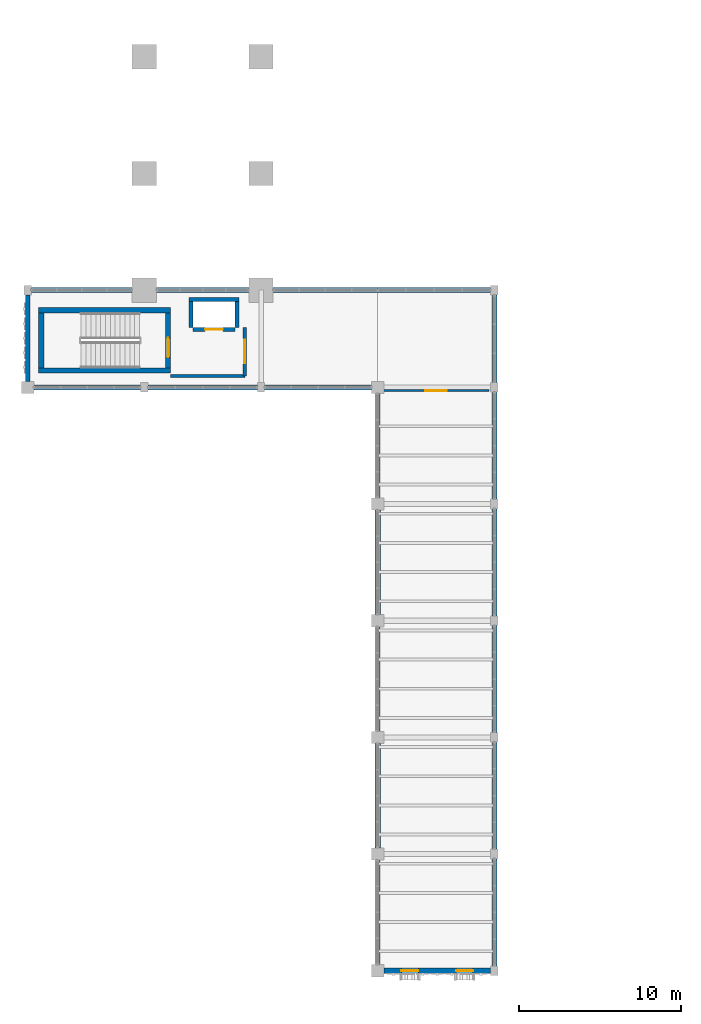
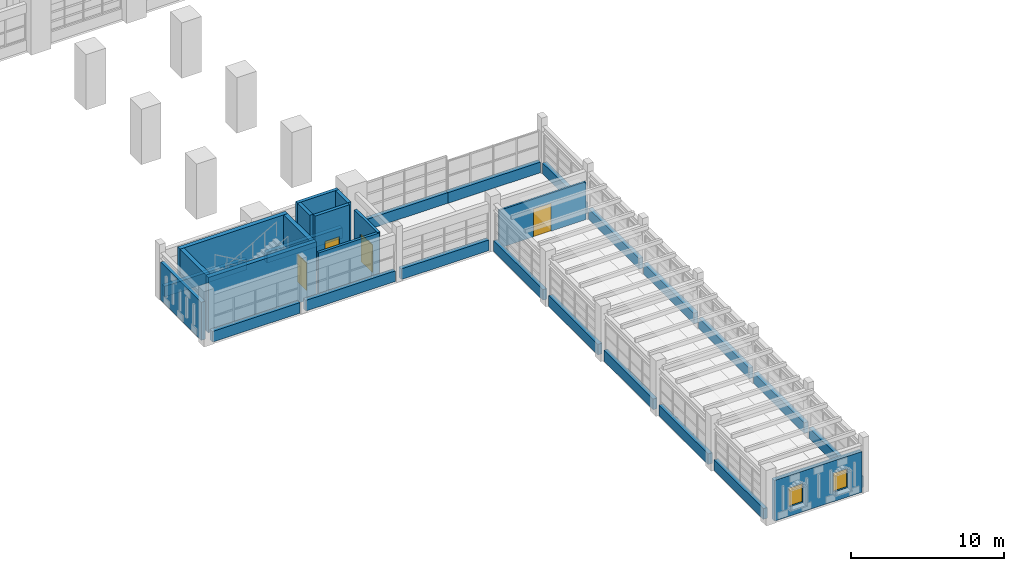
# One storey, part 42 of 69: 31 walls, 4 doors, 2 windows, 6 openings.
"""IFC4 building model written with IfcOpenShell, lengths in metres."""

from ifc_helpers import new_model, si_unit, direction, frame, frame_2d, origin, place, context, subcontext, project, spatial, rectangle, extrude, material, layer, layer_set, type_object, element, fill, save


model = new_model("IFC4")

# Units and contexts
model_context = context("Model", 3, precision=1e-05, world=origin(), true_north=direction((0.0, 1.0)))
body_context = subcontext(model_context, "Body", "Model", "MODEL_VIEW")
ifc_project = project(units=[si_unit("LENGTHUNIT", "METRE"), si_unit("AREAUNIT", "SQUARE_METRE"), si_unit("VOLUMEUNIT", "CUBIC_METRE"), si_unit("PLANEANGLEUNIT", "RADIAN"), si_unit("MASSUNIT", "GRAM", prefix="KILO")], contexts=[model_context])

# Site, building, storey
site_placement = place(None, origin())
site = spatial("IfcSite", under=ifc_project, at=site_placement, CompositionType="ELEMENT")
building_placement = place(site_placement, origin())
building = spatial("IfcBuilding", under=site, at=building_placement, Name="Nzembalo Square Collegiate School", CompositionType="ELEMENT")
storey_placement = place(building_placement, frame((0.0, 0.0, 5.10009765625)))
storey = spatial("IfcBuildingStorey", under=building, at=storey_placement, Name="L01", CompositionType="ELEMENT", Elevation=5.10009765625)

# Walls
ifc_material_1 = material(Name="Concrete C40/50", Category="concrete")
ifc_layer_1 = layer(ifc_material_1, 0.320068359375, Name="Concrete C40/50")
ifc_layer_set_1 = layer_set([ifc_layer_1], Name="Concrete C40/50")
wall_type_1 = type_object("IfcWallType", Name="SW01", PredefinedType="SHEAR", material=ifc_layer_set_1)
wall_1_placement = place(storey_placement, frame((9.239990234375, 45.60009765625, 0.0), z_axis=(0.0, 0.0, 1.0), x_axis=(0.0, 1.0, 0.0)))
element("IfcWall", 1, at=wall_1_placement, inside=storey, type_object=wall_type_1, Name="Core C1 stair shear wall W L01", PredefinedType="SHEAR", context=body_context, shape_type="SweptSolid", body=[
    extrude(rectangle(XDim=3.39990234375, YDim=0.320068359375, at=frame_2d((1.699951171875, 0.0))), origin(), (0.0, 0.0, 1.0), 4.419921875),
])
for number, where, z_axis, x_axis, name in (
    (2, (9.080078125, 45.43994140625, 0.0), (0.0, 0.0, 1.0), (1.0, 0.0, 0.0), "Core C1 stair shear wall S L01"),
    (3, (9.080078125, 49.159912109375, 0.0), (0.0, 0.0, 1.0), (1.0, 0.0, 0.0), "Core C1 stair shear wall N L01"),
):
    element("IfcWall", number, at=place(storey_placement, frame(where, z_axis=z_axis, x_axis=x_axis)), inside=storey, type_object=wall_type_1, Name=name, PredefinedType="SHEAR", context=body_context, shape_type="SweptSolid", body=[
        extrude(rectangle(XDim=8.139892578125, YDim=0.320068359375, at=frame_2d((4.06982421875, 0.0))), origin(), (0.0, 0.0, 1.0), 4.419921875),
    ])

# Wall, opening, door
wall_2_placement = place(storey_placement, frame((17.06005859375, 45.60009765625, 0.0), z_axis=(0.0, 0.0, 1.0), x_axis=(0.0, 1.0, 0.0)))
wall_2 = element("IfcWall", 4, at=wall_2_placement, inside=storey, type_object=wall_type_1, Name="Core C1 stair shear wall E L01", PredefinedType="SHEAR", context=body_context, shape_type="SweptSolid", body=[
    extrude(rectangle(XDim=3.39990234375, YDim=0.320068359375, at=frame_2d((1.699951171875, 0.0))), origin(), (0.0, 0.0, 1.0), 4.419921875),
])
opening_1_placement = place(wall_2_placement, frame((0.64990234375, 0.0, 0.0)))
opening_1 = element("IfcOpeningElement", 5, at=opening_1_placement, cuts=wall_2, Name="Opening FD-005", PredefinedType="OPENING", context=body_context, shape_type="SweptSolid", body=[
    extrude(rectangle(XDim=1.199951171875, YDim=2.199951171875, at=frame_2d((0.60009765625, 1.10009765625))), frame((0.0, 0.169921875, 0.0), z_axis=(0.0, -1.0, 0.0), x_axis=(1.0, 0.0, 0.0)), (0.0, 0.0, 1.0), 0.340087890625),
])
ifc_material_2 = material(Name="Fire-rated steel acoustic door", Category="steel")
door_type_1 = type_object("IfcDoorType", Name="FD01", OperationType="NOTDEFINED", PredefinedType="DOOR", material=ifc_material_2)
door_1_placement = place(opening_1_placement, origin())
door_1 = element("IfcDoor", 6, at=door_1_placement, inside=storey, type_object=door_type_1, Name="Stair fire door FD-005", OperationType="SINGLE_SWING_LEFT", OverallHeight=2.199951171875, OverallWidth=1.199951171875, PredefinedType="DOOR", context=body_context, shape_type="SweptSolid", body=[
    extrude(rectangle(XDim=1.199951171875, YDim=2.199951171875, at=frame_2d((0.60009765625, 1.10009765625))), frame((0.0, 0.02490234375, 0.0), z_axis=(0.0, -1.0, 0.0), x_axis=(1.0, 0.0, 0.0)), (0.0, 0.0, 1.0), 0.050048828125),
])
fill(opening_1, door_1)

# Walls
ifc_material_3 = material(Name="Concrete C35/45", Category="concrete")
ifc_layer_2 = layer(ifc_material_3, 0.25, Name="Concrete C35/45")
ifc_layer_set_2 = layer_set([ifc_layer_2], Name="Concrete C35/45")
wall_type_2 = type_object("IfcWallType", Name="SW05", PredefinedType="SHEAR", material=ifc_layer_set_2)
for number, where, z_axis, x_axis, name in (
    (7, (18.47509765625, 48.10009765625, 0.0), (0.0, 0.0, 1.0), (0.0, 1.0, 0.0), "Lift LF1 shaft wall W L01"),
    (8, (21.324951171875, 48.10009765625, 0.0), (0.0, 0.0, 1.0), (0.0, 1.0, 0.0), "Lift LF1 shaft wall E L01"),
):
    element("IfcWall", number, at=place(storey_placement, frame(where, z_axis=z_axis, x_axis=x_axis)), inside=storey, type_object=wall_type_2, Name=name, PredefinedType="SHEAR", context=body_context, shape_type="SweptSolid", body=[
        extrude(rectangle(XDim=1.599853515625, YDim=0.25, at=frame_2d((0.7998046875, 0.0))), origin(), (0.0, 0.0, 1.0), 4.419921875),
    ])
wall_3_placement = place(storey_placement, frame((18.35009765625, 49.824951171875, 0.0), z_axis=(0.0, 0.0, 1.0), x_axis=(1.0, 0.0, 0.0)))
element("IfcWall", 9, at=wall_3_placement, inside=storey, type_object=wall_type_2, Name="Lift LF1 shaft wall N L01", PredefinedType="SHEAR", context=body_context, shape_type="SweptSolid", body=[
    extrude(rectangle(XDim=3.099853515625, YDim=0.25, at=frame_2d((1.5498046875, 0.0))), origin(), (0.0, 0.0, 1.0), 4.419921875),
])

# Wall, opening, door
wall_4_placement = place(storey_placement, frame((18.60009765625, 47.97509765625, 0.0), z_axis=(0.0, 0.0, 1.0), x_axis=(1.0, 0.0, 0.0)))
wall_4 = element("IfcWall", 10, at=wall_4_placement, inside=storey, type_object=wall_type_2, Name="Lift LF1 landing front wall L01", PredefinedType="SHEAR", context=body_context, shape_type="SweptSolid", body=[
    extrude(rectangle(XDim=2.599853515625, YDim=0.25, at=frame_2d((1.2998046875, 0.0))), origin(), (0.0, 0.0, 1.0), 4.419921875),
])
opening_2_placement = place(wall_4_placement, frame((0.75, 0.0, 0.0)))
opening_2 = element("IfcOpeningElement", 11, at=opening_2_placement, cuts=wall_4, Name="Opening LD-LF1-L01", PredefinedType="OPENING", context=body_context, shape_type="SweptSolid", body=[
    extrude(rectangle(XDim=1.10009765625, YDim=2.14990234375, at=frame_2d((0.550048828125, 1.074951171875))), frame((0.0, 0.135009765625, 0.0), z_axis=(0.0, -1.0, 0.0), x_axis=(1.0, 0.0, 0.0)), (0.0, 0.0, 1.0), 0.27001953125),
])
ifc_material_4 = material(Name="Stainless-steel sliding landing door", Category="steel")
door_type_2 = type_object("IfcDoorType", Name="LD01", OperationType="DOUBLE_DOOR_SLIDING", PredefinedType="DOOR", material=ifc_material_4)
door_2_placement = place(opening_2_placement, origin())
door_2 = element("IfcDoor", 12, at=door_2_placement, inside=storey, type_object=door_type_2, Name="Sliding lift landing door LD-LF1-L01", OperationType="DOUBLE_DOOR_SLIDING", OverallHeight=2.14990234375, OverallWidth=1.10009765625, PredefinedType="DOOR", context=body_context, shape_type="SweptSolid", body=[
    extrude(rectangle(XDim=1.10009765625, YDim=2.14990234375, at=frame_2d((0.550048828125, 1.074951171875))), frame((0.0, 0.02490234375, 0.0), z_axis=(0.0, -1.0, 0.0), x_axis=(1.0, 0.0, 0.0)), (0.0, 0.0, 1.0), 0.050048828125),
])
fill(opening_2, door_2)

# Walls
ifc_material_5 = material(Name="Concrete C35/45", Category="concrete")
ifc_layer_3 = layer(ifc_material_5, 0.320068359375, Name="Concrete C35/45")
ifc_layer_set_3 = layer_set([ifc_layer_3], Name="Concrete C35/45")
wall_type_3 = type_object("IfcWallType", Name="W03", PredefinedType="SOLIDWALL", material=ifc_layer_set_3)
wall_5_placement = place(storey_placement, frame((16.35205078125, 50.39990234375, 0.0), z_axis=(0.0, 0.0, 1.0), x_axis=(1.0, 0.0, 0.0)))
element("IfcWall", 13, at=wall_5_placement, inside=storey, type_object=wall_type_3, Name="Spandrel wall W03 L01", PredefinedType="SOLIDWALL", context=body_context, shape_type="SweptSolid", body=[
    extrude(rectangle(XDim=5.696044921875, YDim=0.320068359375, at=frame_2d((2.84814453125, 0.0))), origin(), (0.0, 0.0, 1.0), 0.849853515625),
])
wall_6_placement = place(storey_placement, frame((30.0, 50.39990234375, 0.0), z_axis=(0.0, 0.0, 1.0), x_axis=(1.0, 0.0, 0.0)))
element("IfcWall", 14, at=wall_6_placement, inside=storey, type_object=wall_type_3, Name="Spandrel wall W03 L01", PredefinedType="SOLIDWALL", context=body_context, shape_type="SweptSolid", body=[
    extrude(rectangle(XDim=6.972900390625, YDim=0.320068359375, at=frame_2d((3.486328125, 0.0))), origin(), (0.0, 0.0, 1.0), 0.849853515625),
])
for number, where, z_axis, x_axis, name in (
    (15, (37.199951171875, 15.902099609375, 0.0), (0.0, 0.0, 1.0), (0.0, 1.0, 0.0), "Spandrel wall W03 L01"),
    (16, (37.199951171875, 30.302001953125, 0.0), (0.0, 0.0, 1.0), (0.0, 1.0, 0.0), "Spandrel wall W03 L01"),
):
    element("IfcWall", number, at=place(storey_placement, frame(where, z_axis=z_axis, x_axis=x_axis)), inside=storey, type_object=wall_type_3, Name=name, PredefinedType="SOLIDWALL", context=body_context, shape_type="SweptSolid", body=[
        extrude(rectangle(XDim=6.595947265625, YDim=0.320068359375, at=frame_2d((3.2978515625, 0.0))), origin(), (0.0, 0.0, 1.0), 0.849853515625),
    ])
wall_7_placement = place(storey_placement, frame((37.199951171875, 44.701904296875, 0.0), z_axis=(0.0, 0.0, 1.0), x_axis=(0.0, 1.0, 0.0)))
element("IfcWall", 17, at=wall_7_placement, inside=storey, type_object=wall_type_3, Name="Spandrel wall W03 L01", PredefinedType="SOLIDWALL", context=body_context, shape_type="SweptSolid", body=[
    extrude(rectangle(XDim=5.39599609375, YDim=0.320068359375, at=frame_2d((2.697998046875, 0.0))), origin(), (0.0, 0.0, 1.0), 0.849853515625),
])

# Wall, openings, windows
wall_8_placement = place(storey_placement, frame((30.376953125, 8.39990234375, 0.0), z_axis=(0.0, 0.0, 1.0), x_axis=(1.0, 0.0, 0.0)))
wall_8 = element("IfcWall", 18, at=wall_8_placement, inside=storey, type_object=wall_type_3, Name="Exterior wall W03 L01", PredefinedType="SOLIDWALL", context=body_context, shape_type="SweptSolid", body=[
    extrude(rectangle(XDim=6.595947265625, YDim=0.320068359375, at=frame_2d((3.2978515625, 0.0))), origin(), (0.0, 0.0, 1.0), 3.243896484375),
])
opening_3_placement = place(wall_8_placement, frame((1.08154296875, 0.0, 0.75)))
opening_3 = element("IfcOpeningElement", 19, at=opening_3_placement, cuts=wall_8, Name="Opening WN-L01-162", PredefinedType="OPENING", context=body_context, shape_type="SweptSolid", body=[
    extrude(rectangle(XDim=1.050048828125, YDim=1.5, at=frame_2d((0.52490234375, 0.75))), frame((0.0, 0.169921875, 0.0), z_axis=(0.0, -1.0, 0.0), x_axis=(1.0, 0.0, 0.0)), (0.0, 0.0, 1.0), 0.340087890625),
])
opening_4_placement = place(wall_8_placement, frame((4.464599609375, 0.0, 0.75)))
opening_4 = element("IfcOpeningElement", 20, at=opening_4_placement, cuts=wall_8, Name="Opening WN-L01-163", PredefinedType="OPENING", context=body_context, shape_type="SweptSolid", body=[
    extrude(rectangle(XDim=1.050048828125, YDim=1.5, at=frame_2d((0.52490234375, 0.75))), frame((0.0, 0.169921875, 0.0), z_axis=(0.0, -1.0, 0.0), x_axis=(1.0, 0.0, 0.0)), (0.0, 0.0, 1.0), 0.340087890625),
])
ifc_material_6 = material(Name="Powder-coated aluminium and low-E double glazing", Category="aluminium")
window_type = type_object("IfcWindowType", Name="WN15", PartitioningType="SINGLE_PANEL", PredefinedType="WINDOW", material=ifc_material_6)
window_1_placement = place(opening_3_placement, origin())
window_1 = element("IfcWindow", 21, at=window_1_placement, inside=storey, type_object=window_type, Name="Lancet window WN-L01-162", OverallHeight=1.5, OverallWidth=1.050048828125, PartitioningType="SINGLE_PANEL", PredefinedType="WINDOW", context=body_context, shape_type="SweptSolid", body=[
    extrude(rectangle(XDim=1.050048828125, YDim=1.5, at=frame_2d((0.52490234375, 0.75))), frame((0.0, 0.030029296875, 0.0), z_axis=(0.0, -1.0, 0.0), x_axis=(1.0, 0.0, 0.0)), (0.0, 0.0, 1.0), 0.06005859375),
])
fill(opening_3, window_1)
window_2_placement = place(opening_4_placement, origin())
window_2 = element("IfcWindow", 22, at=window_2_placement, inside=storey, type_object=window_type, Name="Lancet window WN-L01-163", OverallHeight=1.5, OverallWidth=1.050048828125, PartitioningType="SINGLE_PANEL", PredefinedType="WINDOW", context=body_context, shape_type="SweptSolid", body=[
    extrude(rectangle(XDim=1.050048828125, YDim=1.5, at=frame_2d((0.52490234375, 0.75))), frame((0.0, 0.030029296875, 0.0), z_axis=(0.0, -1.0, 0.0), x_axis=(1.0, 0.0, 0.0)), (0.0, 0.0, 1.0), 0.06005859375),
])
fill(opening_4, window_2)

# Walls
for number, where, z_axis, x_axis, name in (
    (23, (30.0, 15.97705078125, 0.0), (0.0, 0.0, 1.0), (0.0, 1.0, 0.0), "Spandrel wall W03 L01"),
    (24, (30.0, 30.376953125, 0.0), (0.0, 0.0, 1.0), (0.0, 1.0, 0.0), "Spandrel wall W03 L01"),
):
    element("IfcWall", number, at=place(storey_placement, frame(where, z_axis=z_axis, x_axis=x_axis)), inside=storey, type_object=wall_type_3, Name=name, PredefinedType="SOLIDWALL", context=body_context, shape_type="SweptSolid", body=[
        extrude(rectangle(XDim=6.446044921875, YDim=0.320068359375, at=frame_2d((3.22314453125, 0.0))), origin(), (0.0, 0.0, 1.0), 0.849853515625),
    ])
for number, where, z_axis, x_axis, name in (
    (25, (8.777099609375, 44.39990234375, 0.0), (0.0, 0.0, 1.0), (1.0, 0.0, 0.0), "Spandrel wall W03 L01"),
    (26, (23.027099609375, 44.39990234375, 0.0), (0.0, 0.0, 1.0), (1.0, 0.0, 0.0), "Spandrel wall W03 L01"),
):
    element("IfcWall", number, at=place(storey_placement, frame(where, z_axis=z_axis, x_axis=x_axis)), inside=storey, type_object=wall_type_3, Name=name, PredefinedType="SOLIDWALL", context=body_context, shape_type="SweptSolid", body=[
        extrude(rectangle(XDim=6.595947265625, YDim=0.320068359375, at=frame_2d((3.2978515625, 0.0))), origin(), (0.0, 0.0, 1.0), 0.849853515625),
    ])
ifc_material_7 = material(Name="Concrete C35/45", Category="concrete")
ifc_layer_4 = layer(ifc_material_7, 0.300048828125, Name="Concrete C35/45")
ifc_layer_set_4 = layer_set([ifc_layer_4], Name="Concrete C35/45")
wall_type_4 = type_object("IfcWallType", Name="W04", PredefinedType="SOLIDWALL", material=ifc_layer_set_4)
wall_9_placement = place(storey_placement, frame((8.39990234375, 44.777099609375, 0.0), z_axis=(0.0, 0.0, 1.0), x_axis=(0.0, 1.0, 0.0)))
element("IfcWall", 27, at=wall_9_placement, inside=storey, type_object=wall_type_4, Name="Exterior wall W04 L01", PredefinedType="SOLIDWALL", context=body_context, shape_type="SweptSolid", body=[
    extrude(rectangle(XDim=5.32080078125, YDim=0.300048828125, at=frame_2d((2.660400390625, 0.0))), origin(), (0.0, 0.0, 1.0), 3.02392578125),
])
wall_10_placement = place(storey_placement, frame((8.626953125, 50.39990234375, 0.0), z_axis=(0.0, 0.0, 1.0), x_axis=(1.0, 0.0, 0.0)))
element("IfcWall", 28, at=wall_10_placement, inside=storey, type_object=wall_type_4, Name="Spandrel wall W04 L01", PredefinedType="SOLIDWALL", context=body_context, shape_type="SweptSolid", body=[
    extrude(rectangle(XDim=6.220947265625, YDim=0.300048828125, at=frame_2d((3.1103515625, 0.0))), origin(), (0.0, 0.0, 1.0), 0.849853515625),
])
wall_11_placement = place(storey_placement, frame((23.552001953125, 50.39990234375, 0.0), z_axis=(0.0, 0.0, 1.0), x_axis=(1.0, 0.0, 0.0)))
element("IfcWall", 29, at=wall_11_placement, inside=storey, type_object=wall_type_4, Name="Spandrel wall W04 L01", PredefinedType="SOLIDWALL", context=body_context, shape_type="SweptSolid", body=[
    extrude(rectangle(XDim=6.447998046875, YDim=0.300048828125, at=frame_2d((3.22412109375, 0.0))), origin(), (0.0, 0.0, 1.0), 0.849853515625),
])
wall_12_placement = place(storey_placement, frame((37.199951171875, 8.701904296875, 0.0), z_axis=(0.0, 0.0, 1.0), x_axis=(0.0, 1.0, 0.0)))
element("IfcWall", 30, at=wall_12_placement, inside=storey, type_object=wall_type_4, Name="Spandrel wall W04 L01", PredefinedType="SOLIDWALL", context=body_context, shape_type="SweptSolid", body=[
    extrude(rectangle(XDim=6.59619140625, YDim=0.300048828125, at=frame_2d((3.298095703125, 0.0))), origin(), (0.0, 0.0, 1.0), 0.849853515625),
])
for number, where, z_axis, x_axis, name in (
    (31, (37.199951171875, 23.10205078125, 0.0), (0.0, 0.0, 1.0), (0.0, 1.0, 0.0), "Spandrel wall W04 L01"),
    (32, (37.199951171875, 37.501953125, 0.0), (0.0, 0.0, 1.0), (0.0, 1.0, 0.0), "Spandrel wall W04 L01"),
):
    element("IfcWall", number, at=place(storey_placement, frame(where, z_axis=z_axis, x_axis=x_axis)), inside=storey, type_object=wall_type_4, Name=name, PredefinedType="SOLIDWALL", context=body_context, shape_type="SweptSolid", body=[
        extrude(rectangle(XDim=6.595947265625, YDim=0.300048828125, at=frame_2d((3.2978515625, 0.0))), origin(), (0.0, 0.0, 1.0), 0.849853515625),
    ])
wall_13_placement = place(storey_placement, frame((30.0, 8.777099609375, 0.0), z_axis=(0.0, 0.0, 1.0), x_axis=(0.0, 1.0, 0.0)))
element("IfcWall", 33, at=wall_13_placement, inside=storey, type_object=wall_type_4, Name="Spandrel wall W04 L01", PredefinedType="SOLIDWALL", context=body_context, shape_type="SweptSolid", body=[
    extrude(rectangle(XDim=6.44580078125, YDim=0.300048828125, at=frame_2d((3.222900390625, 0.0))), origin(), (0.0, 0.0, 1.0), 0.849853515625),
])
for number, where, z_axis, x_axis, name in (
    (34, (30.0, 23.177001953125, 0.0), (0.0, 0.0, 1.0), (0.0, 1.0, 0.0), "Spandrel wall W04 L01"),
    (35, (30.0, 37.576904296875, 0.0), (0.0, 0.0, 1.0), (0.0, 1.0, 0.0), "Spandrel wall W04 L01"),
):
    element("IfcWall", number, at=place(storey_placement, frame(where, z_axis=z_axis, x_axis=x_axis)), inside=storey, type_object=wall_type_4, Name=name, PredefinedType="SOLIDWALL", context=body_context, shape_type="SweptSolid", body=[
        extrude(rectangle(XDim=6.446044921875, YDim=0.300048828125, at=frame_2d((3.22314453125, 0.0))), origin(), (0.0, 0.0, 1.0), 0.849853515625),
    ])
wall_14_placement = place(storey_placement, frame((15.826904296875, 44.39990234375, 0.0), z_axis=(0.0, 0.0, 1.0), x_axis=(1.0, 0.0, 0.0)))
element("IfcWall", 36, at=wall_14_placement, inside=storey, type_object=wall_type_4, Name="Spandrel wall W04 L01", PredefinedType="SOLIDWALL", context=body_context, shape_type="SweptSolid", body=[
    extrude(rectangle(XDim=6.74609375, YDim=0.300048828125, at=frame_2d((3.373046875, 0.0))), origin(), (0.0, 0.0, 1.0), 0.849853515625),
])

# Wall, opening, door
ifc_material_8 = material(Name="Concrete blockwork C25/30", Category="masonry")
ifc_layer_5 = layer(ifc_material_8, 0.199951171875, Name="Concrete blockwork C25/30")
ifc_layer_set_5 = layer_set([ifc_layer_5], Name="Concrete blockwork C25/30")
wall_type_5 = type_object("IfcWallType", Name="W11", PredefinedType="PARTITIONING", material=ifc_layer_set_5)
wall_15_placement = place(storey_placement, frame((21.800048828125, 45.10009765625, 0.0), z_axis=(0.0, 0.0, 1.0), x_axis=(0.0, 1.0, 0.0)))
wall_15 = element("IfcWall", 37, at=wall_15_placement, inside=storey, type_object=wall_type_5, Name="Core C1 EI 60 lobby wall E L01", PredefinedType="PARTITIONING", context=body_context, shape_type="SweptSolid", body=[
    extrude(rectangle(XDim=3.0, YDim=0.199951171875, at=frame_2d((1.5, 0.0))), origin(), (0.0, 0.0, 1.0), 3.69384765625),
])
opening_5_placement = place(wall_15_placement, frame((0.77490234375, 0.0, 0.0)))
opening_5 = element("IfcOpeningElement", 38, at=opening_5_placement, cuts=wall_15, Name="Opening FD-006", PredefinedType="OPENING", context=body_context, shape_type="SweptSolid", body=[
    extrude(rectangle(XDim=1.449951171875, YDim=2.199951171875, at=frame_2d((0.72509765625, 1.10009765625))), frame((0.0, 0.10986328125, 0.0), z_axis=(0.0, -1.0, 0.0), x_axis=(1.0, 0.0, 0.0)), (0.0, 0.0, 1.0), 0.219970703125),
])
ifc_material_9 = material(Name="Fire-rated double lobby door")
door_type_3 = type_object("IfcDoorType", Name="FD02", OperationType="DOUBLE_DOOR_SINGLE_SWING", PredefinedType="DOOR", material=ifc_material_9)
door_3_placement = place(opening_5_placement, frame((1.449951171875, 0.0, 0.0), z_axis=(0.0, 0.0, 1.0), x_axis=(-1.0, 0.0, 0.0)))
door_3 = element("IfcDoor", 39, at=door_3_placement, inside=storey, type_object=door_type_3, Name="Protected lobby fire door FD-006", OperationType="DOUBLE_DOOR_SINGLE_SWING", OverallHeight=2.199951171875, OverallWidth=1.449951171875, PredefinedType="DOOR", context=body_context, shape_type="SweptSolid", body=[
    extrude(rectangle(XDim=1.449951171875, YDim=2.199951171875, at=frame_2d((0.72509765625, 1.10009765625))), frame((0.0, 0.02490234375, 0.0), z_axis=(0.0, -1.0, 0.0), x_axis=(1.0, 0.0, 0.0)), (0.0, 0.0, 1.0), 0.050048828125),
])
fill(opening_5, door_3)

# Wall
wall_16_placement = place(storey_placement, frame((17.219970703125, 45.10009765625, 0.0), z_axis=(0.0, 0.0, 1.0), x_axis=(1.0, 0.0, 0.0)))
element("IfcWall", 40, at=wall_16_placement, inside=storey, type_object=wall_type_5, Name="Core C1 EI 60 lobby wall S L01", PredefinedType="PARTITIONING", context=body_context, shape_type="SweptSolid", body=[
    extrude(rectangle(XDim=4.580078125, YDim=0.199951171875, at=frame_2d((2.2900390625, 0.0))), origin(), (0.0, 0.0, 1.0), 3.69384765625),
])

# Wall, opening, door
ifc_material_10 = material(Name="Cement-board wet-room partition")
ifc_layer_6 = layer(ifc_material_10, 0.135009765625, Name="Cement-board wet-room partition")
ifc_layer_set_6 = layer_set([ifc_layer_6], Name="Cement-board wet-room partition")
wall_type_6 = type_object("IfcWallType", Name="W19", PredefinedType="PARTITIONING", material=ifc_layer_set_6)
wall_17_placement = place(storey_placement, frame((30.33251953125, 44.199951171875, 0.0), z_axis=(0.0, 0.0, 1.0), x_axis=(1.0, 0.0, 0.0)))
wall_17 = element("IfcWall", 41, at=wall_17_placement, inside=storey, type_object=wall_type_6, Name="Interior partition W19 L01-018-N", PredefinedType="PARTITIONING", context=body_context, shape_type="SweptSolid", body=[
    extrude(rectangle(XDim=6.534912109375, YDim=0.135009765625, at=frame_2d((3.267578125, 0.0))), origin(), (0.0, 0.0, 1.0), 3.02392578125),
])
opening_6_placement = place(wall_17_placement, frame((2.607421875, 0.0, 0.0)))
opening_6 = element("IfcOpeningElement", 42, at=opening_6_placement, cuts=wall_17, Name="Opening D-L01-035", PredefinedType="OPENING", context=body_context, shape_type="SweptSolid", body=[
    extrude(rectangle(XDim=1.320068359375, YDim=2.219970703125, at=frame_2d((0.66015625, 1.10986328125))), frame((0.0, 0.07763671875, 0.0), z_axis=(0.0, -1.0, 0.0), x_axis=(1.0, 0.0, 0.0)), (0.0, 0.0, 1.0), 0.155029296875),
])
ifc_material_11 = material(Name="Double-leaf studio acoustic door")
door_type_4 = type_object("IfcDoorType", Name="D04", OperationType="DOUBLE_DOOR_SINGLE_SWING", PredefinedType="DOOR", material=ifc_material_11)
door_4_placement = place(opening_6_placement, origin())
door_4 = element("IfcDoor", 43, at=door_4_placement, inside=storey, type_object=door_type_4, Name="Interior door D-L01-035 (Sports Spectator Gallery and Fitness Studio)", OperationType="DOUBLE_DOOR_SINGLE_SWING", OverallHeight=2.219970703125, OverallWidth=1.320068359375, PredefinedType="DOOR", context=body_context, shape_type="SweptSolid", body=[
    extrude(rectangle(XDim=1.320068359375, YDim=2.219970703125, at=frame_2d((0.66015625, 1.10986328125))), frame((0.0, 0.02490234375, 0.0), z_axis=(0.0, -1.0, 0.0), x_axis=(1.0, 0.0, 0.0)), (0.0, 0.0, 1.0), 0.050048828125),
])
fill(opening_6, door_4)

save(model, "model.ifc")
